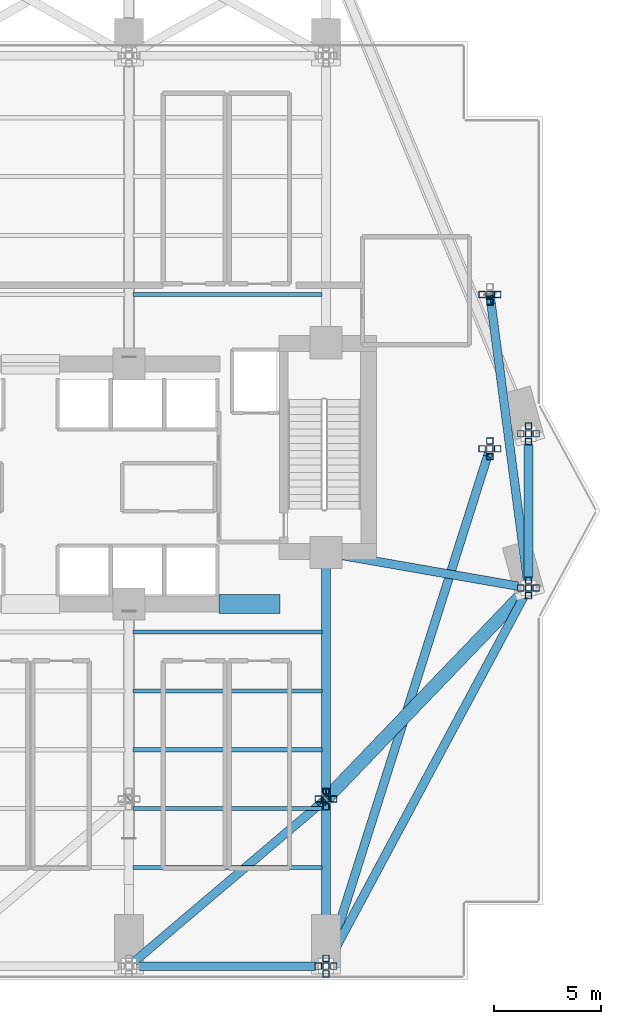
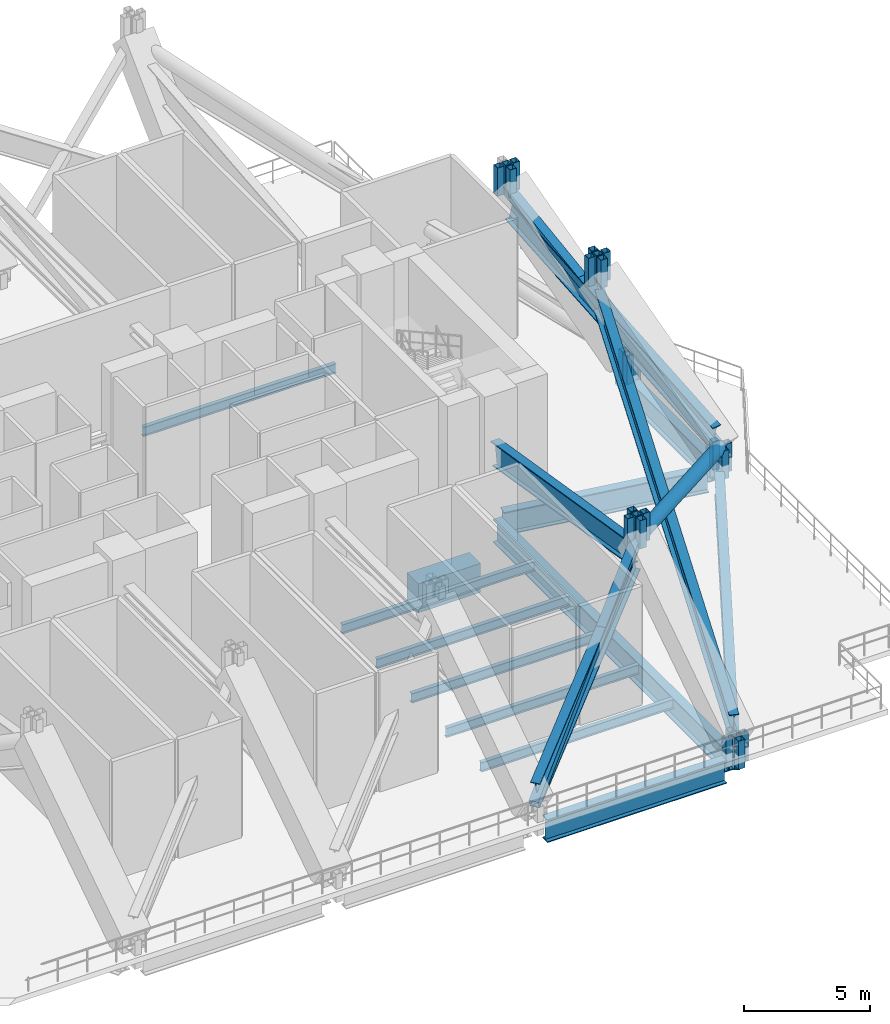
# One storey, part 4 of 18: 32 members, 16 beams.
"""IFC4 building model written with IfcOpenShell, lengths in metres."""

from ifc_helpers import new_model, si_unit, direction, frame, origin, origin_2d, place, context, subcontext, project, spatial, rectangle, hollow_rectangle, hollow_circle, i_section, extrude, material, material_profile, profile_set, type_object, element, save


model = new_model("IFC4")

# Units and contexts
model_context = context("Model", 3, precision=1e-05, world=origin(), true_north=direction((0.0, 1.0)))
body_context = subcontext(model_context, "Body", "Model", "MODEL_VIEW")
ifc_project = project(units=[si_unit("LENGTHUNIT", "METRE"), si_unit("AREAUNIT", "SQUARE_METRE"), si_unit("VOLUMEUNIT", "CUBIC_METRE"), si_unit("PLANEANGLEUNIT", "RADIAN"), si_unit("MASSUNIT", "GRAM", prefix="KILO")], contexts=[model_context])

# Site, building, storey
site_placement = place(None, origin())
site = spatial("IfcSite", under=ifc_project, at=site_placement, CompositionType="ELEMENT")
building_placement = place(site_placement, origin())
building = spatial("IfcBuilding", under=site, at=building_placement, Name="Zuhayl Quay Hotel", CompositionType="ELEMENT")
storey_placement = place(building_placement, frame((0.0, 0.0, 162.199951171875)))
storey = spatial("IfcBuildingStorey", under=building, at=storey_placement, Name="L41", CompositionType="ELEMENT", Elevation=162.199951171875)

# Beams
ifc_material_1 = material(Name="Concrete C60/75", Category="concrete")
ifc_material_profile_1 = material_profile(ifc_material_1, rectangle(XDim=0.89990234375, YDim=1.39990234375, at=origin_2d()), Name="RC900X1400")
ifc_profile_set_1 = profile_set([ifc_material_profile_1], Name="Concrete C60/75")
beam_type_1 = type_object("IfcBeamType", Name="BM_CB1_RC900", PredefinedType="T_BEAM", material=ifc_profile_set_1)
beam_1_placement = place(storey_placement, frame((8.800048828125, 2.14990234375, -0.9599609375), z_axis=(1.0, 0.0, 0.0), x_axis=(0.0, 1.0, 0.0)))
element("IfcBeam", 1, at=beam_1_placement, inside=storey, type_object=beam_type_1, Name="L41 Core Coupling Beam SE", PredefinedType="T_BEAM", context=body_context, shape_type="SweptSolid", body=[
    extrude(rectangle(XDim=0.89990234375, YDim=1.39990234375, at=origin_2d()), origin(), (0.0, 0.0, 1.0), 2.849853515625),
])
ifc_material_2 = material(Name="Steel ASTM A992 Grade 50", Category="steel")
ifc_material_profile_2 = material_profile(ifc_material_2, i_section(OverallWidth=0.18994140625, OverallDepth=0.45703125, WebThickness=0.009033203125, FlangeThickness=0.014404296875, at=origin_2d()), Name="W18X50")
ifc_profile_set_2 = profile_set([ifc_material_profile_2], Name="Steel ASTM A992 Grade 50")
beam_type_2 = type_object("IfcBeamType", Name="BM_J2_W18X50", PredefinedType="JOIST", material=ifc_profile_set_2)
for number, where, z_axis, x_axis, name in (
    (2, (4.7939453125, 16.60009765625, -0.488525390625), (1.0, 0.0, 0.0), (0.0, 1.0, 0.0), "L41 Floor Beam FJ_L41_1_3"),
    (3, (4.7939453125, -10.14990234375, -0.488525390625), (1.0, 0.0, 0.0), (0.0, 1.0, 0.0), "L41 Floor Beam FJ_L41_5_3"),
    (4, (4.7939453125, -7.39990234375, -0.488525390625), (1.0, 0.0, 0.0), (0.0, 1.0, 0.0), "L41 Floor Beam FJ_L41_6_3"),
    (5, (4.7939453125, -4.64990234375, -0.488525390625), (1.0, 0.0, 0.0), (0.0, 1.0, 0.0), "L41 Floor Beam FJ_L41_7_3"),
    (6, (4.7939453125, -1.89990234375, -0.488525390625), (1.0, 0.0, 0.0), (0.0, 1.0, 0.0), "L41 Floor Beam FJ_L41_8_3"),
    (7, (4.7939453125, 0.85009765625, -0.488525390625), (1.0, 0.0, 0.0), (0.0, 1.0, 0.0), "L41 Floor Beam FJ_L41_9_3"),
):
    element("IfcBeam", number, at=place(storey_placement, frame(where, z_axis=z_axis, x_axis=x_axis)), inside=storey, type_object=beam_type_2, Name=name, PredefinedType="JOIST", context=body_context, shape_type="SweptSolid", body=[
        extrude(i_section(OverallWidth=0.18994140625, OverallDepth=0.45703125, WebThickness=0.009033203125, FlangeThickness=0.014404296875, at=origin_2d()), origin(), (0.0, 0.0, 1.0), 8.81201171875),
    ])
ifc_material_3 = material(Name="Steel ASTM A913 Grade 65", Category="steel")
ifc_material_profile_3 = material_profile(ifc_material_3, i_section(OverallWidth=0.404052734375, OverallDepth=1.117919921875, WebThickness=0.026123046875, FlangeThickness=0.044921875, at=origin_2d()), Name="W44X335")
ifc_profile_set_3 = profile_set([ifc_material_profile_3], Name="Steel ASTM A913 Grade 65")
beam_type_3 = type_object("IfcBeamType", Name="BM_TG1_W44X335", PredefinedType="BEAM", material=ifc_profile_set_3)
beam_2_placement = place(storey_placement, frame((5.10009765625, -14.75, -0.81884765625), z_axis=(1.0, 0.0, 0.0), x_axis=(0.0, 1.0, 0.0)))
element("IfcBeam", 8, at=beam_2_placement, inside=storey, type_object=beam_type_3, Name="L41 Floor Beam RG_L41_03", PredefinedType="BEAM", context=body_context, shape_type="SweptSolid", body=[
    extrude(i_section(OverallWidth=0.404052734375, OverallDepth=1.117919921875, WebThickness=0.026123046875, FlangeThickness=0.044921875, at=origin_2d()), origin(), (0.0, 0.0, 1.0), 8.199951171875),
])
beam_3_placement = place(storey_placement, frame((14.035888671875, -14.30908203125, -0.81884765625), z_axis=(0.472017301959, 0.88158928456, 0.0), x_axis=(-0.88158928456, 0.472017301959, 0.0)))
element("IfcBeam", 9, at=beam_3_placement, inside=storey, type_object=beam_type_3, Name="L41 Floor Beam RG_L41_04", PredefinedType="BEAM", context=body_context, shape_type="SweptSolid", body=[
    extrude(i_section(OverallWidth=0.404052734375, OverallDepth=1.117919921875, WebThickness=0.026123046875, FlangeThickness=0.044921875, at=origin_2d()), origin(), (0.0, 0.0, 1.0), 19.0205078125),
])
beam_4_placement = place(storey_placement, frame((23.25, 3.39990234375, -0.81884765625), z_axis=(0.0, 1.0, 0.0), x_axis=(-1.0, 0.0, 0.0)))
element("IfcBeam", 10, at=beam_4_placement, inside=storey, type_object=beam_type_3, Name="L41 Floor Beam RG_L41_05", PredefinedType="BEAM", context=body_context, shape_type="SweptSolid", body=[
    extrude(i_section(OverallWidth=0.404052734375, OverallDepth=1.117919921875, WebThickness=0.026123046875, FlangeThickness=0.044921875, at=origin_2d()), origin(), (0.0, 0.0, 1.0), 6.2001953125),
])
beam_5_placement = place(storey_placement, frame((4.828857421875, -14.555908203125, 0.949951171875), z_axis=(0.726430416424, 0.6158703402, 0.304963234106), x_axis=(-0.646675283419, 0.762765414669, 0.0)))
element("IfcBeam", 11, at=beam_5_placement, inside=storey, type_object=beam_type_3, Name="L41 Wind-Floor Inclined Belt Girder 03", PredefinedType="BEAM", context=body_context, shape_type="SweptSolid", body=[
    extrude(i_section(OverallWidth=0.404052734375, OverallDepth=1.117919921875, WebThickness=0.026123046875, FlangeThickness=0.044921875, at=origin_2d()), origin(), (0.0, 0.0, 1.0), 12.03466796875),
])
beam_6_placement = place(storey_placement, frame((13.890625, -14.464111328125, 0.949951171875), z_axis=(0.298706911969, 0.942988975232, 0.146785467038), x_axis=(-0.953314948114, 0.30197782982, 0.0)))
element("IfcBeam", 12, at=beam_6_placement, inside=storey, type_object=beam_type_3, Name="L41 Wind-Floor Inclined Belt Girder 04", PredefinedType="BEAM", context=body_context, shape_type="SweptSolid", body=[
    extrude(i_section(OverallWidth=0.404052734375, OverallDepth=1.117919921875, WebThickness=0.026123046875, FlangeThickness=0.044921875, at=origin_2d()), origin(), (0.0, 0.0, 1.0), 25.003662109375),
])
beam_7_placement = place(storey_placement, frame((23.2109375, 3.197509765625, 0.949951171875), z_axis=(-0.125525575045, 0.955332740288, 0.267549407294), x_axis=(-0.991477917921, -0.130274856647, 0.0)))
element("IfcBeam", 13, at=beam_7_placement, inside=storey, type_object=beam_type_3, Name="L41 Wind-Floor Inclined Belt Girder 05", PredefinedType="BEAM", context=body_context, shape_type="SweptSolid", body=[
    extrude(i_section(OverallWidth=0.404052734375, OverallDepth=1.117919921875, WebThickness=0.026123046875, FlangeThickness=0.044921875, at=origin_2d()), origin(), (0.0, 0.0, 1.0), 13.7177734375),
])
beam_8_placement = place(storey_placement, frame((13.800048828125, 4.199951171875, 2.85009765625), z_axis=(0.0, -0.986834670064, 0.161732291023), x_axis=(1.0, 0.0, 0.0)))
element("IfcBeam", 14, at=beam_8_placement, inside=storey, type_object=beam_type_3, Name="L41 Wind-Floor Inclined Outrigger Girder 4", PredefinedType="BEAM", context=body_context, shape_type="SweptSolid", body=[
    extrude(i_section(OverallWidth=0.404052734375, OverallDepth=1.117919921875, WebThickness=0.026123046875, FlangeThickness=0.044921875, at=origin_2d()), origin(), (0.0, 0.0, 1.0), 10.944091796875),
])
beam_9_placement = place(storey_placement, frame((13.800048828125, -14.25, -0.81884765625), z_axis=(0.0, 1.0, 0.0), x_axis=(-1.0, 0.0, 0.0)))
element("IfcBeam", 15, at=beam_9_placement, inside=storey, type_object=beam_type_3, Name="L41 Floor Beam FG_S_L41_4", PredefinedType="BEAM", context=body_context, shape_type="SweptSolid", body=[
    extrude(i_section(OverallWidth=0.404052734375, OverallDepth=1.117919921875, WebThickness=0.026123046875, FlangeThickness=0.044921875, at=origin_2d()), origin(), (0.0, 0.0, 1.0), 18.35009765625),
])
beam_10_placement = place(storey_placement, frame((14.243408203125, 4.47265625, -0.81884765625), z_axis=(0.985097302632, -0.171997977741, 0.0), x_axis=(0.171997977741, 0.985097302632, 0.0)))
element("IfcBeam", 16, at=beam_10_placement, inside=storey, type_object=beam_type_3, Name="L41 Floor Beam FG_E_L41_1", PredefinedType="BEAM", context=body_context, shape_type="SweptSolid", body=[
    extrude(i_section(OverallWidth=0.404052734375, OverallDepth=1.117919921875, WebThickness=0.026123046875, FlangeThickness=0.044921875, at=origin_2d()), origin(), (0.0, 0.0, 1.0), 8.64306640625),
])

# Members
ifc_material_4 = material(Name="Steel ASTM A500 Grade C", Category="steel")
ifc_material_profile_4 = material_profile(ifc_material_4, hollow_rectangle(XDim=0.39990234375, YDim=0.39990234375, WallThickness=0.01611328125, at=origin_2d()), Name="HSS400X400X16")
ifc_profile_set_4 = profile_set([ifc_material_profile_4], Name="Steel ASTM A500 Grade C")
member_type_1 = type_object("IfcMemberType", Name="MB_BT_DIAG_HSS400", PredefinedType="BRACE", material=ifc_profile_set_4)
member_1_placement = place(storey_placement, frame((4.60009765625, -14.75, 0.550048828125), z_axis=(0.706667118343, 0.599137748161, 0.37637154858), x_axis=(-0.646689603757, 0.762753273604, 0.0)))
element("IfcMember", 17, at=member_1_placement, inside=storey, type_object=member_type_1, Name="L41 Belt Truss BT2 Diagonal S34", PredefinedType="BRACE", context=body_context, shape_type="SweptSolid", body=[
    extrude(hollow_rectangle(XDim=0.39990234375, YDim=0.39990234375, WallThickness=0.01611328125, at=origin_2d()), origin(), (0.0, 0.0, 1.0), 13.018798828125),
])
member_2_placement = place(storey_placement, frame((23.25, 2.89990234375, 0.550048828125), z_axis=(-0.122778139031, 0.934466031444, 0.334213651206), x_axis=(-0.991478693976, -0.130268950222, 0.0)))
element("IfcMember", 18, at=member_2_placement, inside=storey, type_object=member_type_1, Name="L41 Belt Truss BT2 Diagonal E12", PredefinedType="BRACE", context=body_context, shape_type="SweptSolid", body=[
    extrude(hollow_rectangle(XDim=0.39990234375, YDim=0.39990234375, WallThickness=0.01611328125, at=origin_2d()), origin(), (0.0, 0.0, 1.0), 14.660888671875),
])
ifc_material_profile_5 = material_profile(ifc_material_4, hollow_rectangle(XDim=0.300048828125, YDim=0.300048828125, WallThickness=0.012451171875, at=origin_2d()), Name="HSS300X300X12")
ifc_profile_set_5 = profile_set([ifc_material_profile_5], Name="Steel ASTM A500 Grade C")
member_type_2 = type_object("IfcMemberType", Name="MB_CR_BRACE_HSS300", PredefinedType="BRACE", material=ifc_profile_set_5)
member_3_placement = place(storey_placement, frame((13.800048828125, -14.75, -0.64990234375), z_axis=(0.0, 0.0, 1.0), x_axis=(1.0, 0.0, 0.0)))
element("IfcMember", 19, at=member_3_placement, inside=storey, type_object=member_type_2, Name="L41 Mega-Column Lower Knuckle Leg MC_S4-1", PredefinedType="STRUT", context=body_context, shape_type="SweptSolid", body=[
    extrude(hollow_rectangle(XDim=0.300048828125, YDim=0.300048828125, WallThickness=0.012451171875, at=origin_2d()), origin(), (0.0, 0.0, 1.0), 1.369873046875),
])
member_4_placement = place(storey_placement, frame((13.800048828125, -6.949951171875, 5.280029296875), z_axis=(0.0, 0.0, 1.0), x_axis=(1.0, 0.0, 0.0)))
element("IfcMember", 20, at=member_4_placement, inside=storey, type_object=member_type_2, Name="L41 Mega-Column Upper Knuckle Leg MC_S4-1", PredefinedType="STRUT", context=body_context, shape_type="SweptSolid", body=[
    extrude(hollow_rectangle(XDim=0.300048828125, YDim=0.300048828125, WallThickness=0.012451171875, at=origin_2d()), origin(), (0.0, 0.0, 1.0), 1.3701171875),
])
member_5_placement = place(storey_placement, frame((13.800048828125, -14.389892578125, -0.64990234375), z_axis=(0.0, 0.0, 1.0), x_axis=(1.0, 0.0, 0.0)))
element("IfcMember", 21, at=member_5_placement, inside=storey, type_object=member_type_2, Name="L41 Mega-Column Lower Knuckle Leg MC_S4-2", PredefinedType="STRUT", context=body_context, shape_type="SweptSolid", body=[
    extrude(hollow_rectangle(XDim=0.300048828125, YDim=0.300048828125, WallThickness=0.012451171875, at=origin_2d()), origin(), (0.0, 0.0, 1.0), 1.369873046875),
])
member_6_placement = place(storey_placement, frame((13.800048828125, -6.590087890625, 5.280029296875), z_axis=(0.0, 0.0, 1.0), x_axis=(1.0, 0.0, 0.0)))
element("IfcMember", 22, at=member_6_placement, inside=storey, type_object=member_type_2, Name="L41 Mega-Column Upper Knuckle Leg MC_S4-2", PredefinedType="STRUT", context=body_context, shape_type="SweptSolid", body=[
    extrude(hollow_rectangle(XDim=0.300048828125, YDim=0.300048828125, WallThickness=0.012451171875, at=origin_2d()), origin(), (0.0, 0.0, 1.0), 1.3701171875),
])
member_7_placement = place(storey_placement, frame((13.800048828125, -15.110107421875, -0.64990234375), z_axis=(0.0, 0.0, 1.0), x_axis=(1.0, 0.0, 0.0)))
element("IfcMember", 23, at=member_7_placement, inside=storey, type_object=member_type_2, Name="L41 Mega-Column Lower Knuckle Leg MC_S4-3", PredefinedType="STRUT", context=body_context, shape_type="SweptSolid", body=[
    extrude(hollow_rectangle(XDim=0.300048828125, YDim=0.300048828125, WallThickness=0.012451171875, at=origin_2d()), origin(), (0.0, 0.0, 1.0), 1.369873046875),
])
member_8_placement = place(storey_placement, frame((13.800048828125, -7.31005859375, 5.280029296875), z_axis=(0.0, 0.0, 1.0), x_axis=(1.0, 0.0, 0.0)))
element("IfcMember", 24, at=member_8_placement, inside=storey, type_object=member_type_2, Name="L41 Mega-Column Upper Knuckle Leg MC_S4-3", PredefinedType="STRUT", context=body_context, shape_type="SweptSolid", body=[
    extrude(hollow_rectangle(XDim=0.300048828125, YDim=0.300048828125, WallThickness=0.012451171875, at=origin_2d()), origin(), (0.0, 0.0, 1.0), 1.3701171875),
])
member_9_placement = place(storey_placement, frame((14.159912109375, -14.75, -0.64990234375), z_axis=(0.0, 0.0, 1.0), x_axis=(1.0, 0.0, 0.0)))
element("IfcMember", 25, at=member_9_placement, inside=storey, type_object=member_type_2, Name="L41 Mega-Column Lower Knuckle Leg MC_S4-4", PredefinedType="STRUT", context=body_context, shape_type="SweptSolid", body=[
    extrude(hollow_rectangle(XDim=0.300048828125, YDim=0.300048828125, WallThickness=0.012451171875, at=origin_2d()), origin(), (0.0, 0.0, 1.0), 1.369873046875),
])
member_10_placement = place(storey_placement, frame((14.159912109375, -6.949951171875, 5.280029296875), z_axis=(0.0, 0.0, 1.0), x_axis=(1.0, 0.0, 0.0)))
element("IfcMember", 26, at=member_10_placement, inside=storey, type_object=member_type_2, Name="L41 Mega-Column Upper Knuckle Leg MC_S4-4", PredefinedType="STRUT", context=body_context, shape_type="SweptSolid", body=[
    extrude(hollow_rectangle(XDim=0.300048828125, YDim=0.300048828125, WallThickness=0.012451171875, at=origin_2d()), origin(), (0.0, 0.0, 1.0), 1.3701171875),
])
member_11_placement = place(storey_placement, frame((13.43994140625, -14.75, -0.64990234375), z_axis=(0.0, 0.0, 1.0), x_axis=(1.0, 0.0, 0.0)))
element("IfcMember", 27, at=member_11_placement, inside=storey, type_object=member_type_2, Name="L41 Mega-Column Lower Knuckle Leg MC_S4-5", PredefinedType="STRUT", context=body_context, shape_type="SweptSolid", body=[
    extrude(hollow_rectangle(XDim=0.300048828125, YDim=0.300048828125, WallThickness=0.012451171875, at=origin_2d()), origin(), (0.0, 0.0, 1.0), 1.369873046875),
])
member_12_placement = place(storey_placement, frame((13.43994140625, -6.949951171875, 5.280029296875), z_axis=(0.0, 0.0, 1.0), x_axis=(1.0, 0.0, 0.0)))
element("IfcMember", 28, at=member_12_placement, inside=storey, type_object=member_type_2, Name="L41 Mega-Column Upper Knuckle Leg MC_S4-5", PredefinedType="STRUT", context=body_context, shape_type="SweptSolid", body=[
    extrude(hollow_rectangle(XDim=0.300048828125, YDim=0.300048828125, WallThickness=0.012451171875, at=origin_2d()), origin(), (0.0, 0.0, 1.0), 1.3701171875),
])
member_13_placement = place(storey_placement, frame((23.25, 2.89990234375, -0.64990234375), z_axis=(0.0, 0.0, 1.0), x_axis=(1.0, 0.0, 0.0)))
element("IfcMember", 29, at=member_13_placement, inside=storey, type_object=member_type_2, Name="L41 Mega-Column Lower Knuckle Leg MC_E1-1", PredefinedType="STRUT", context=body_context, shape_type="SweptSolid", body=[
    extrude(hollow_rectangle(XDim=0.300048828125, YDim=0.300048828125, WallThickness=0.012451171875, at=origin_2d()), origin(), (0.0, 0.0, 1.0), 1.369873046875),
])
member_14_placement = place(storey_placement, frame((21.449951171875, 9.39990234375, 5.280029296875), z_axis=(0.0, 0.0, 1.0), x_axis=(1.0, 0.0, 0.0)))
element("IfcMember", 30, at=member_14_placement, inside=storey, type_object=member_type_2, Name="L41 Mega-Column Upper Knuckle Leg MC_E1-1", PredefinedType="STRUT", context=body_context, shape_type="SweptSolid", body=[
    extrude(hollow_rectangle(XDim=0.300048828125, YDim=0.300048828125, WallThickness=0.012451171875, at=origin_2d()), origin(), (0.0, 0.0, 1.0), 1.3701171875),
])
member_15_placement = place(storey_placement, frame((23.25, 3.260009765625, -0.64990234375), z_axis=(0.0, 0.0, 1.0), x_axis=(1.0, 0.0, 0.0)))
element("IfcMember", 31, at=member_15_placement, inside=storey, type_object=member_type_2, Name="L41 Mega-Column Lower Knuckle Leg MC_E1-2", PredefinedType="STRUT", context=body_context, shape_type="SweptSolid", body=[
    extrude(hollow_rectangle(XDim=0.300048828125, YDim=0.300048828125, WallThickness=0.012451171875, at=origin_2d()), origin(), (0.0, 0.0, 1.0), 1.369873046875),
])
member_16_placement = place(storey_placement, frame((21.449951171875, 9.760009765625, 5.280029296875), z_axis=(0.0, 0.0, 1.0), x_axis=(1.0, 0.0, 0.0)))
element("IfcMember", 32, at=member_16_placement, inside=storey, type_object=member_type_2, Name="L41 Mega-Column Upper Knuckle Leg MC_E1-2", PredefinedType="STRUT", context=body_context, shape_type="SweptSolid", body=[
    extrude(hollow_rectangle(XDim=0.300048828125, YDim=0.300048828125, WallThickness=0.012451171875, at=origin_2d()), origin(), (0.0, 0.0, 1.0), 1.3701171875),
])
member_17_placement = place(storey_placement, frame((23.25, 2.5400390625, -0.64990234375), z_axis=(0.0, 0.0, 1.0), x_axis=(1.0, 0.0, 0.0)))
element("IfcMember", 33, at=member_17_placement, inside=storey, type_object=member_type_2, Name="L41 Mega-Column Lower Knuckle Leg MC_E1-3", PredefinedType="STRUT", context=body_context, shape_type="SweptSolid", body=[
    extrude(hollow_rectangle(XDim=0.300048828125, YDim=0.300048828125, WallThickness=0.012451171875, at=origin_2d()), origin(), (0.0, 0.0, 1.0), 1.369873046875),
])
member_18_placement = place(storey_placement, frame((21.449951171875, 9.0400390625, 5.280029296875), z_axis=(0.0, 0.0, 1.0), x_axis=(1.0, 0.0, 0.0)))
element("IfcMember", 34, at=member_18_placement, inside=storey, type_object=member_type_2, Name="L41 Mega-Column Upper Knuckle Leg MC_E1-3", PredefinedType="STRUT", context=body_context, shape_type="SweptSolid", body=[
    extrude(hollow_rectangle(XDim=0.300048828125, YDim=0.300048828125, WallThickness=0.012451171875, at=origin_2d()), origin(), (0.0, 0.0, 1.0), 1.3701171875),
])
member_19_placement = place(storey_placement, frame((23.610107421875, 2.89990234375, -0.64990234375), z_axis=(0.0, 0.0, 1.0), x_axis=(1.0, 0.0, 0.0)))
element("IfcMember", 35, at=member_19_placement, inside=storey, type_object=member_type_2, Name="L41 Mega-Column Lower Knuckle Leg MC_E1-4", PredefinedType="STRUT", context=body_context, shape_type="SweptSolid", body=[
    extrude(hollow_rectangle(XDim=0.300048828125, YDim=0.300048828125, WallThickness=0.012451171875, at=origin_2d()), origin(), (0.0, 0.0, 1.0), 1.369873046875),
])
member_20_placement = place(storey_placement, frame((21.81005859375, 9.39990234375, 5.280029296875), z_axis=(0.0, 0.0, 1.0), x_axis=(1.0, 0.0, 0.0)))
element("IfcMember", 36, at=member_20_placement, inside=storey, type_object=member_type_2, Name="L41 Mega-Column Upper Knuckle Leg MC_E1-4", PredefinedType="STRUT", context=body_context, shape_type="SweptSolid", body=[
    extrude(hollow_rectangle(XDim=0.300048828125, YDim=0.300048828125, WallThickness=0.012451171875, at=origin_2d()), origin(), (0.0, 0.0, 1.0), 1.3701171875),
])
member_21_placement = place(storey_placement, frame((22.889892578125, 2.89990234375, -0.64990234375), z_axis=(0.0, 0.0, 1.0), x_axis=(1.0, 0.0, 0.0)))
element("IfcMember", 37, at=member_21_placement, inside=storey, type_object=member_type_2, Name="L41 Mega-Column Lower Knuckle Leg MC_E1-5", PredefinedType="STRUT", context=body_context, shape_type="SweptSolid", body=[
    extrude(hollow_rectangle(XDim=0.300048828125, YDim=0.300048828125, WallThickness=0.012451171875, at=origin_2d()), origin(), (0.0, 0.0, 1.0), 1.369873046875),
])
member_22_placement = place(storey_placement, frame((21.090087890625, 9.39990234375, 5.280029296875), z_axis=(0.0, 0.0, 1.0), x_axis=(1.0, 0.0, 0.0)))
element("IfcMember", 38, at=member_22_placement, inside=storey, type_object=member_type_2, Name="L41 Mega-Column Upper Knuckle Leg MC_E1-5", PredefinedType="STRUT", context=body_context, shape_type="SweptSolid", body=[
    extrude(hollow_rectangle(XDim=0.300048828125, YDim=0.300048828125, WallThickness=0.012451171875, at=origin_2d()), origin(), (0.0, 0.0, 1.0), 1.3701171875),
])
member_23_placement = place(storey_placement, frame((23.25, 10.10009765625, -0.64990234375), z_axis=(0.0, 0.0, 1.0), x_axis=(1.0, 0.0, 0.0)))
element("IfcMember", 39, at=member_23_placement, inside=storey, type_object=member_type_2, Name="L41 Mega-Column Lower Knuckle Leg MC_E2-1", PredefinedType="STRUT", context=body_context, shape_type="SweptSolid", body=[
    extrude(hollow_rectangle(XDim=0.300048828125, YDim=0.300048828125, WallThickness=0.012451171875, at=origin_2d()), origin(), (0.0, 0.0, 1.0), 1.369873046875),
])
member_24_placement = place(storey_placement, frame((21.449951171875, 16.60009765625, 5.280029296875), z_axis=(0.0, 0.0, 1.0), x_axis=(1.0, 0.0, 0.0)))
element("IfcMember", 40, at=member_24_placement, inside=storey, type_object=member_type_2, Name="L41 Mega-Column Upper Knuckle Leg MC_E2-1", PredefinedType="STRUT", context=body_context, shape_type="SweptSolid", body=[
    extrude(hollow_rectangle(XDim=0.300048828125, YDim=0.300048828125, WallThickness=0.012451171875, at=origin_2d()), origin(), (0.0, 0.0, 1.0), 1.3701171875),
])
for number, where, z_axis, x_axis, name in (
    (41, (23.25, 10.4599609375, -0.64990234375), (0.0, 0.0, 1.0), (1.0, 0.0, 0.0), "L41 Mega-Column Lower Knuckle Leg MC_E2-2"),
    (42, (23.25, 9.739990234375, -0.64990234375), (0.0, 0.0, 1.0), (1.0, 0.0, 0.0), "L41 Mega-Column Lower Knuckle Leg MC_E2-3"),
):
    element("IfcMember", number, at=place(storey_placement, frame(where, z_axis=z_axis, x_axis=x_axis)), inside=storey, type_object=member_type_2, Name=name, PredefinedType="STRUT", context=body_context, shape_type="SweptSolid", body=[
        extrude(hollow_rectangle(XDim=0.300048828125, YDim=0.300048828125, WallThickness=0.012451171875, at=origin_2d()), origin(), (0.0, 0.0, 1.0), 1.369873046875),
    ])
member_25_placement = place(storey_placement, frame((21.449951171875, 16.239990234375, 5.280029296875), z_axis=(0.0, 0.0, 1.0), x_axis=(1.0, 0.0, 0.0)))
element("IfcMember", 43, at=member_25_placement, inside=storey, type_object=member_type_2, Name="L41 Mega-Column Upper Knuckle Leg MC_E2-3", PredefinedType="STRUT", context=body_context, shape_type="SweptSolid", body=[
    extrude(hollow_rectangle(XDim=0.300048828125, YDim=0.300048828125, WallThickness=0.012451171875, at=origin_2d()), origin(), (0.0, 0.0, 1.0), 1.3701171875),
])
member_26_placement = place(storey_placement, frame((23.610107421875, 10.10009765625, -0.64990234375), z_axis=(0.0, 0.0, 1.0), x_axis=(1.0, 0.0, 0.0)))
element("IfcMember", 44, at=member_26_placement, inside=storey, type_object=member_type_2, Name="L41 Mega-Column Lower Knuckle Leg MC_E2-4", PredefinedType="STRUT", context=body_context, shape_type="SweptSolid", body=[
    extrude(hollow_rectangle(XDim=0.300048828125, YDim=0.300048828125, WallThickness=0.012451171875, at=origin_2d()), origin(), (0.0, 0.0, 1.0), 1.369873046875),
])
member_27_placement = place(storey_placement, frame((21.81005859375, 16.60009765625, 5.280029296875), z_axis=(0.0, 0.0, 1.0), x_axis=(1.0, 0.0, 0.0)))
element("IfcMember", 45, at=member_27_placement, inside=storey, type_object=member_type_2, Name="L41 Mega-Column Upper Knuckle Leg MC_E2-4", PredefinedType="STRUT", context=body_context, shape_type="SweptSolid", body=[
    extrude(hollow_rectangle(XDim=0.300048828125, YDim=0.300048828125, WallThickness=0.012451171875, at=origin_2d()), origin(), (0.0, 0.0, 1.0), 1.3701171875),
])
member_28_placement = place(storey_placement, frame((22.889892578125, 10.10009765625, -0.64990234375), z_axis=(0.0, 0.0, 1.0), x_axis=(1.0, 0.0, 0.0)))
element("IfcMember", 46, at=member_28_placement, inside=storey, type_object=member_type_2, Name="L41 Mega-Column Lower Knuckle Leg MC_E2-5", PredefinedType="STRUT", context=body_context, shape_type="SweptSolid", body=[
    extrude(hollow_rectangle(XDim=0.300048828125, YDim=0.300048828125, WallThickness=0.012451171875, at=origin_2d()), origin(), (0.0, 0.0, 1.0), 1.369873046875),
])
member_29_placement = place(storey_placement, frame((21.090087890625, 16.60009765625, 5.280029296875), z_axis=(0.0, 0.0, 1.0), x_axis=(1.0, 0.0, 0.0)))
element("IfcMember", 47, at=member_29_placement, inside=storey, type_object=member_type_2, Name="L41 Mega-Column Upper Knuckle Leg MC_E2-5", PredefinedType="STRUT", context=body_context, shape_type="SweptSolid", body=[
    extrude(hollow_rectangle(XDim=0.300048828125, YDim=0.300048828125, WallThickness=0.012451171875, at=origin_2d()), origin(), (0.0, 0.0, 1.0), 1.3701171875),
])
ifc_material_profile_6 = material_profile(ifc_material_4, hollow_circle(Radius=0.304931640625, WallThickness=0.02001953125, at=origin_2d()), Name="CHS610X20")
ifc_profile_set_6 = profile_set([ifc_material_profile_6], Name="Steel ASTM A500 Grade C")
member_type_3 = type_object("IfcMemberType", Name="MB_ST_CHS610", PredefinedType="STRUT", material=ifc_profile_set_6)
member_30_placement = place(storey_placement, frame((23.25, 2.89990234375, 0.550048828125), z_axis=(-0.651596453068, -0.679170664196, 0.337859839644), x_axis=(0.721603524123, -0.692306546245, 0.0)))
element("IfcMember", 48, at=member_30_placement, inside=storey, type_object=member_type_3, Name="L41 Wind-Floor Corner Mega-Strut SE", PredefinedType="STRUT", context=body_context, shape_type="SweptSolid", body=[
    extrude(hollow_circle(Radius=0.304931640625, WallThickness=0.02001953125, at=origin_2d()), origin(), (0.0, 0.0, 1.0), 14.502685546875),
])

save(model, "model.ifc")
